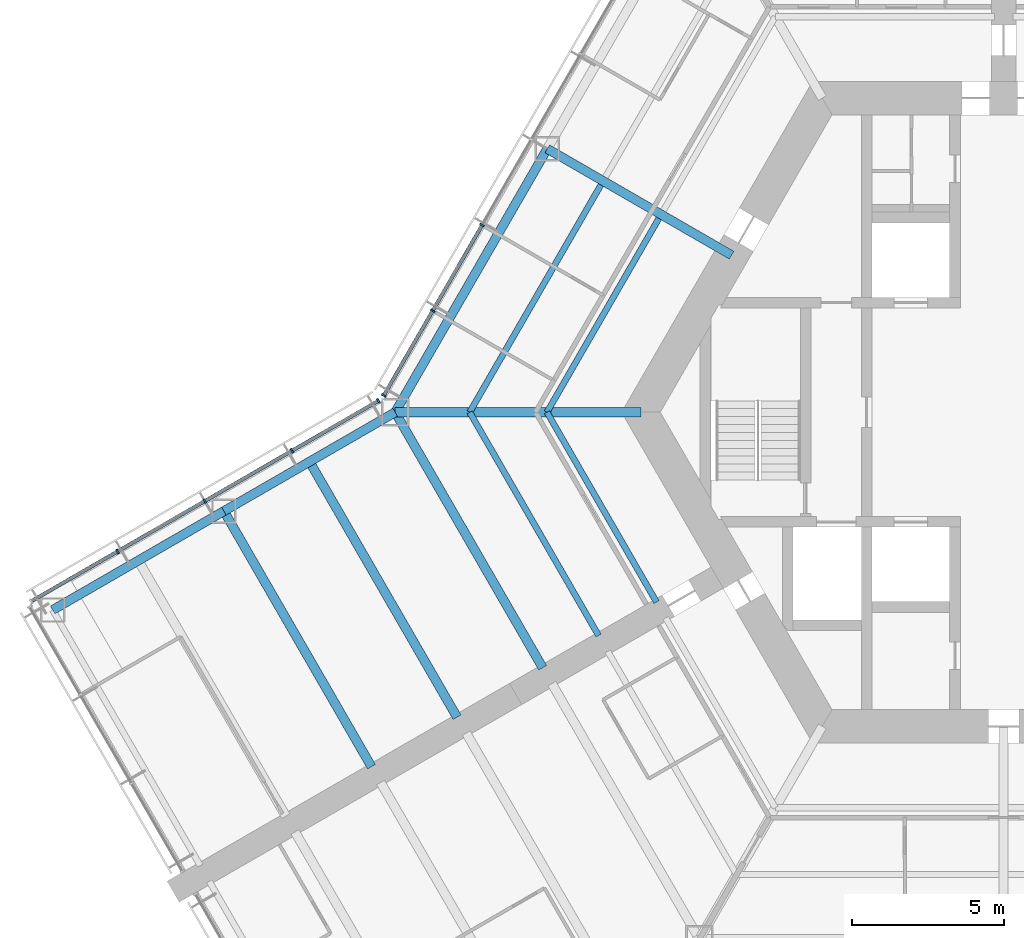
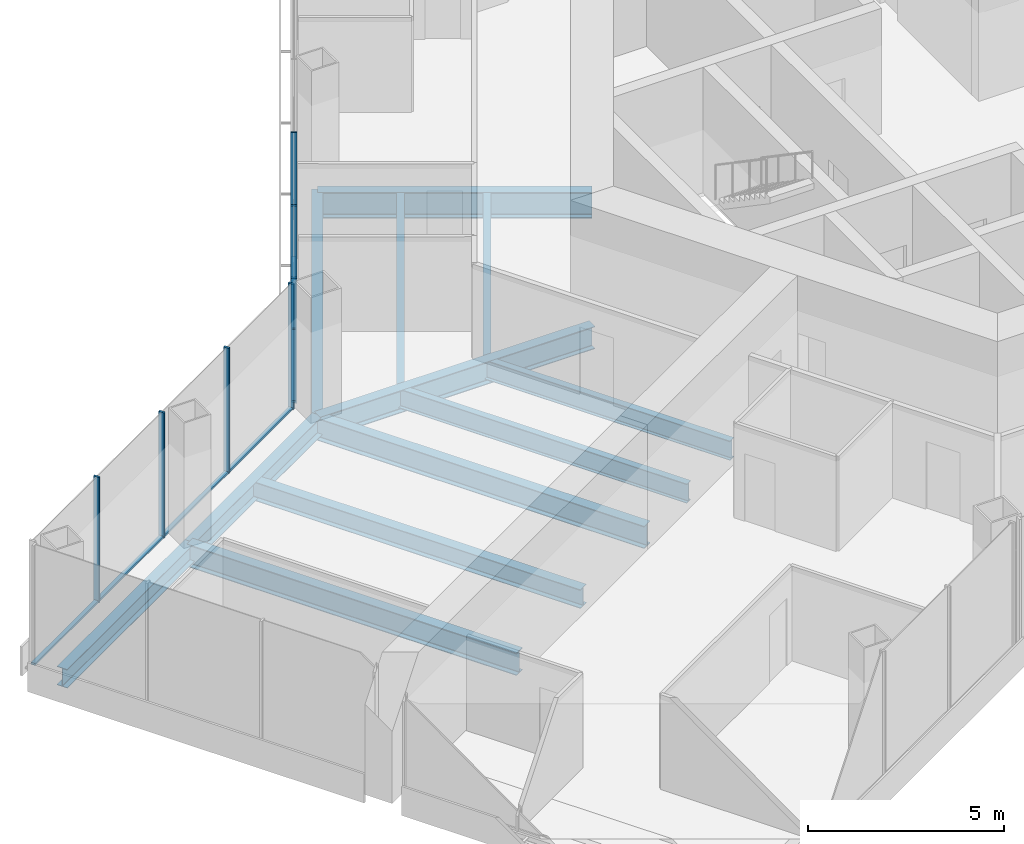
# One storey, part 4 of 19: 13 members, 12 beams, 2 elements without a shape of their own.
"""IFC4 building model written with IfcOpenShell, lengths in metres."""

from ifc_helpers import new_model, si_unit, direction, frame, origin, origin_2d, place, context, subcontext, project, spatial, rectangle, i_section, extrude, material, material_profile, profile_set, type_object, element, aggregate, save


model = new_model("IFC4")

# Units and contexts
model_context = context("Model", 3, precision=1e-05, world=origin(), true_north=direction((0.0, 1.0)))
body_context = subcontext(model_context, "Body", "Model", "MODEL_VIEW")
ifc_project = project(units=[si_unit("LENGTHUNIT", "METRE"), si_unit("AREAUNIT", "SQUARE_METRE"), si_unit("VOLUMEUNIT", "CUBIC_METRE"), si_unit("PLANEANGLEUNIT", "RADIAN"), si_unit("MASSUNIT", "GRAM", prefix="KILO")], contexts=[model_context])

# Site, building, storey
site_placement = place(None, origin())
site = spatial("IfcSite", under=ifc_project, at=site_placement, CompositionType="ELEMENT")
building_placement = place(site_placement, origin())
building = spatial("IfcBuilding", under=site, at=building_placement, Name="Kasaneha Research Tower", CompositionType="ELEMENT")
storey_placement = place(building_placement, frame((0.0, 0.0, 84.60009765625)))
storey = spatial("IfcBuildingStorey", under=building, at=storey_placement, Name="L21", CompositionType="ELEMENT", Elevation=84.60009765625)

# Beams
ifc_material_1 = material(Name="Steel SN490B", Category="steel")
ifc_material_profile_1 = material_profile(ifc_material_1, i_section(OverallWidth=0.199951171875, OverallDepth=0.60009765625, WebThickness=0.010986328125, FlangeThickness=0.01708984375, FilletRadius=0.012939453125, at=origin_2d()), Name="H-600x200x11x17")
ifc_profile_set_1 = profile_set([ifc_material_profile_1], Name="Steel SN490B")
beam_type_1 = type_object("IfcBeamType", Name="B1-3 secondary beam H-600x200x11x17", PredefinedType="JOIST", material=ifc_profile_set_1)
beam_1_placement = place(storey_placement, frame((-15.010986328125, 0.0, -0.4501953125), z_axis=(0.499994443168, 0.866028611999, 0.0), x_axis=(-0.866028611999, 0.499994443168, 0.0)))
element("IfcBeam", 1, at=beam_1_placement, inside=storey, type_object=beam_type_1, Name="Secondary beam RS150R1 L21", PredefinedType="JOIST", context=body_context, shape_type="SweptSolid", body=[
    extrude(i_section(OverallWidth=0.199951171875, OverallDepth=0.60009765625, WebThickness=0.010986328125, FlangeThickness=0.01708984375, FilletRadius=0.012939453125, at=origin_2d()), origin(), (0.0, 0.0, 1.0), 7.35546875),
])
beam_2_placement = place(storey_placement, frame((-17.551513671875, 0.0, -0.4501953125), z_axis=(0.5000050195, 0.866022505755, 0.0), x_axis=(-0.866022505755, 0.5000050195, 0.0)))
element("IfcBeam", 2, at=beam_2_placement, inside=storey, type_object=beam_type_1, Name="Secondary beam RS150R2 L21", PredefinedType="JOIST", context=body_context, shape_type="SweptSolid", body=[
    extrude(i_section(OverallWidth=0.199951171875, OverallDepth=0.60009765625, WebThickness=0.010986328125, FlangeThickness=0.01708984375, FilletRadius=0.012939453125, at=origin_2d()), origin(), (0.0, 0.0, 1.0), 8.6259765625),
])
beam_3_placement = place(storey_placement, frame((-15.010986328125, 0.0, -0.4501953125), z_axis=(0.499972735707, -0.866041144259, 0.0), x_axis=(0.866041144259, 0.499972735707, 0.0)))
element("IfcBeam", 3, at=beam_3_placement, inside=storey, type_object=beam_type_1, Name="Secondary beam RS210L1 L21", PredefinedType="JOIST", context=body_context, shape_type="SweptSolid", body=[
    extrude(i_section(OverallWidth=0.199951171875, OverallDepth=0.60009765625, WebThickness=0.010986328125, FlangeThickness=0.01708984375, FilletRadius=0.012939453125, at=origin_2d()), origin(), (0.0, 0.0, 1.0), 7.20556640625),
])
beam_4_placement = place(storey_placement, frame((-17.551513671875, 0.0, -0.4501953125), z_axis=(0.500020829043, -0.866013377797, 0.0), x_axis=(0.866013377797, 0.500020829043, 0.0)))
element("IfcBeam", 4, at=beam_4_placement, inside=storey, type_object=beam_type_1, Name="Secondary beam RS210L2 L21", PredefinedType="JOIST", context=body_context, shape_type="SweptSolid", body=[
    extrude(i_section(OverallWidth=0.199951171875, OverallDepth=0.60009765625, WebThickness=0.010986328125, FlangeThickness=0.01708984375, FilletRadius=0.012939453125, at=origin_2d()), origin(), (0.0, 0.0, 1.0), 8.475830078125),
])
ifc_material_2 = material(Name="Steel SN490B", Category="steel")
ifc_material_profile_2 = material_profile(ifc_material_2, i_section(OverallWidth=0.300048828125, OverallDepth=0.58203125, WebThickness=0.011962890625, FlangeThickness=0.01708984375, FilletRadius=0.012939453125, at=origin_2d()), Name="H-582x300x12x17")
ifc_profile_set_2 = profile_set([ifc_material_profile_2], Name="Steel SN490B")
beam_type_2 = type_object("IfcBeamType", Name="B2-3 secondary beam H-582x300x12x17", PredefinedType="JOIST", material=ifc_profile_set_2)
beam_5_placement = place(storey_placement, frame((-22.814697265625, -1.625, -0.441162109375), z_axis=(0.500010041276, -0.866019606374, 0.0), x_axis=(0.866019606374, 0.500010041276, 0.0)))
element("IfcBeam", 5, at=beam_5_placement, inside=storey, type_object=beam_type_2, Name="Secondary beam WBBP1 L21", PredefinedType="JOIST", context=body_context, shape_type="SweptSolid", body=[
    extrude(i_section(OverallWidth=0.300048828125, OverallDepth=0.58203125, WebThickness=0.011962890625, FlangeThickness=0.01708984375, FilletRadius=0.012939453125, at=origin_2d()), origin(), (0.0, 0.0, 1.0), 9.699951171875),
])

# Curtain wall, members
ifc_material_3 = material(Name="Glass and aluminium", Category="aluminium")
curtain_wall_type = type_object("IfcCurtainWallType", Name="Low-rise office curtain wall", PredefinedType="USERDEFINED", material=ifc_material_3)
curtain_wall_1_placement = place(storey_placement, origin())
curtain_wall_1 = element("IfcCurtainWall", 6, at=curtain_wall_1_placement, inside=storey, type_object=curtain_wall_type, Name="CW-O1 L21 run 12a", ObjectType="UNITISED CURTAIN WALL", PredefinedType="USERDEFINED")
ifc_material_4 = material(Name="Aluminium 6063-T6", Category="aluminium")
ifc_material_profile_3 = material_profile(ifc_material_4, rectangle(XDim=0.06005859375, YDim=0.159912109375, at=origin_2d()), Name="CW-O1 mullion 60x160")
ifc_profile_set_3 = profile_set([ifc_material_profile_3], Name="Aluminium 6063-T6")
member_type_1 = type_object("IfcMemberType", Name="CW-O1 mullion", PredefinedType="MULLION", material=ifc_profile_set_3)
member_1_placement = place(storey_placement, frame((-17.142822265625, 6.148681640625, 0.0), z_axis=(0.0, 0.0, 1.0), x_axis=(-0.49999996188, -0.866025425793, 0.0)))
member_1 = element("IfcMember", 7, at=member_1_placement, type_object=member_type_1, Name="CW-O1 mullion 5", PredefinedType="MULLION", context=body_context, shape_type="SweptSolid", body=[
    extrude(rectangle(XDim=0.06005859375, YDim=0.159912109375, at=origin_2d()), origin(), (0.0, 0.0, 1.0), 3.89990234375),
])
member_2_placement = place(storey_placement, frame((-18.76611328125, 3.33740234375, 0.0), z_axis=(0.0, 0.0, 1.0), x_axis=(-0.49999996188, -0.866025425793, 0.0)))
member_2 = element("IfcMember", 8, at=member_2_placement, type_object=member_type_1, Name="CW-O1 mullion 6", PredefinedType="MULLION", context=body_context, shape_type="SweptSolid", body=[
    extrude(rectangle(XDim=0.06005859375, YDim=0.159912109375, at=origin_2d()), origin(), (0.0, 0.0, 1.0), 3.89990234375),
])
member_3_placement = place(storey_placement, frame((-20.374267578125, 0.5517578125, 0.0), z_axis=(0.0, 0.0, 1.0), x_axis=(-0.49999996188, -0.866025425793, 0.0)))
member_3 = element("IfcMember", 9, at=member_3_placement, type_object=member_type_1, Name="CW-O1 mullion 7", PredefinedType="MULLION", context=body_context, shape_type="SweptSolid", body=[
    extrude(rectangle(XDim=0.06005859375, YDim=0.159912109375, at=origin_2d()), origin(), (0.0, 0.0, 1.0), 3.89990234375),
])

curtain_wall_2_placement = place(storey_placement, origin())
curtain_wall_2 = element("IfcCurtainWall", 10, at=curtain_wall_2_placement, inside=storey, type_object=curtain_wall_type, Name="CW-O1 L21 run 13a", ObjectType="UNITISED CURTAIN WALL", PredefinedType="USERDEFINED")
member_4_placement = place(storey_placement, frame((-20.5517578125, 0.374267578125, 0.0), z_axis=(0.0, 0.0, 1.0), x_axis=(-0.866025411464, -0.499999986699, 0.0)))
member_4 = element("IfcMember", 11, at=member_4_placement, type_object=member_type_1, Name="CW-O1 mullion 1", PredefinedType="MULLION", context=body_context, shape_type="SweptSolid", body=[
    extrude(rectangle(XDim=0.06005859375, YDim=0.159912109375, at=origin_2d()), origin(), (0.0, 0.0, 1.0), 3.89990234375),
])
member_5_placement = place(storey_placement, frame((-23.39208984375, -1.265625, 0.0), z_axis=(0.0, 0.0, 1.0), x_axis=(-0.866025411464, -0.499999986699, 0.0)))
member_5 = element("IfcMember", 12, at=member_5_placement, type_object=member_type_1, Name="CW-O1 mullion 2", PredefinedType="MULLION", context=body_context, shape_type="SweptSolid", body=[
    extrude(rectangle(XDim=0.06005859375, YDim=0.159912109375, at=origin_2d()), origin(), (0.0, 0.0, 1.0), 3.89990234375),
])
member_6_placement = place(storey_placement, frame((-26.258544921875, -2.920654296875, 0.0), z_axis=(0.0, 0.0, 1.0), x_axis=(-0.866025411464, -0.499999986699, 0.0)))
member_6 = element("IfcMember", 13, at=member_6_placement, type_object=member_type_1, Name="CW-O1 mullion 3", PredefinedType="MULLION", context=body_context, shape_type="SweptSolid", body=[
    extrude(rectangle(XDim=0.06005859375, YDim=0.159912109375, at=origin_2d()), origin(), (0.0, 0.0, 1.0), 3.89990234375),
])
member_7_placement = place(storey_placement, frame((-29.125, -4.575439453125, 0.0), z_axis=(0.0, 0.0, 1.0), x_axis=(-0.866025411464, -0.499999986699, 0.0)))
member_7 = element("IfcMember", 14, at=member_7_placement, type_object=member_type_1, Name="CW-O1 mullion 4", PredefinedType="MULLION", context=body_context, shape_type="SweptSolid", body=[
    extrude(rectangle(XDim=0.06005859375, YDim=0.159912109375, at=origin_2d()), origin(), (0.0, 0.0, 1.0), 3.89990234375),
])

# Member
ifc_material_5 = material(Name="Aluminium 6063-T6", Category="aluminium")
ifc_material_profile_4 = material_profile(ifc_material_5, rectangle(XDim=0.1201171875, YDim=0.06005859375, at=origin_2d()), Name="CW-O1 transom 120x60")
ifc_profile_set_4 = profile_set([ifc_material_profile_4], Name="Aluminium 6063-T6")
member_type_2 = type_object("IfcMemberType", Name="CW-O1 transom", PredefinedType="USERDEFINED", material=ifc_profile_set_4)
member_8_placement = place(storey_placement, frame((-17.15771484375, 6.122802734375, 0.02978515625), z_axis=(-0.500012062035, -0.866018439653, 0.0), x_axis=(0.866018439653, -0.500012062035, 0.0)))
member_8 = element("IfcMember", 15, at=member_8_placement, type_object=member_type_2, Name="CW-O1 transom 5", ObjectType="TRANSOM", PredefinedType="USERDEFINED", context=body_context, shape_type="SweptSolid", body=[
    extrude(rectangle(XDim=0.1201171875, YDim=0.06005859375, at=origin_2d()), origin(), (0.0, 0.0, 1.0), 3.1865234375),
])

member_9_placement = place(storey_placement, frame((-18.781005859375, 3.311279296875, 0.02978515625), z_axis=(-0.499999210213, -0.866025859768, 0.0), x_axis=(0.866025859768, -0.499999210213, 0.0)))
member_9 = element("IfcMember", 16, at=member_9_placement, type_object=member_type_2, Name="CW-O1 transom 6", ObjectType="TRANSOM", PredefinedType="USERDEFINED", context=body_context, shape_type="SweptSolid", body=[
    extrude(rectangle(XDim=0.1201171875, YDim=0.06005859375, at=origin_2d()), origin(), (0.0, 0.0, 1.0), 3.15625),
])

aggregate(curtain_wall_1, [member_1, member_2, member_3, member_8, member_9])

member_10_placement = place(storey_placement, frame((-20.577880859375, 0.359130859375, 0.02978515625), z_axis=(-0.866022692473, -0.500004696101, 0.0), x_axis=(0.500004696101, -0.866022692473, 0.0)))
member_10 = element("IfcMember", 17, at=member_10_placement, type_object=member_type_2, Name="CW-O1 transom 1", ObjectType="TRANSOM", PredefinedType="USERDEFINED", context=body_context, shape_type="SweptSolid", body=[
    extrude(rectangle(XDim=0.1201171875, YDim=0.06005859375, at=origin_2d()), origin(), (0.0, 0.0, 1.0), 3.2197265625),
])

member_11_placement = place(storey_placement, frame((-23.418212890625, -1.28076171875, 0.02978515625), z_axis=(-0.86604797581, -0.499960902066, 0.0), x_axis=(0.499960902066, -0.86604797581, 0.0)))
member_11 = element("IfcMember", 18, at=member_11_placement, type_object=member_type_2, Name="CW-O1 transom 2", ObjectType="TRANSOM", PredefinedType="USERDEFINED", context=body_context, shape_type="SweptSolid", body=[
    extrude(rectangle(XDim=0.1201171875, YDim=0.06005859375, at=origin_2d()), origin(), (0.0, 0.0, 1.0), 3.249755859375),
])

member_12_placement = place(storey_placement, frame((-26.28466796875, -2.935546875, 0.02978515625), z_axis=(-0.86599666273, -0.500049777664, 0.0), x_axis=(0.500049777664, -0.86599666273, 0.0)))
member_12 = element("IfcMember", 19, at=member_12_placement, type_object=member_type_2, Name="CW-O1 transom 3", ObjectType="TRANSOM", PredefinedType="USERDEFINED", context=body_context, shape_type="SweptSolid", body=[
    extrude(rectangle(XDim=0.1201171875, YDim=0.06005859375, at=origin_2d()), origin(), (0.0, 0.0, 1.0), 3.249755859375),
])

member_13_placement = place(storey_placement, frame((-29.15087890625, -4.590576171875, 0.02978515625), z_axis=(-0.866041647767, -0.499971863542, 0.0), x_axis=(0.499971863542, -0.866041647767, 0.0)))
member_13 = element("IfcMember", 20, at=member_13_placement, type_object=member_type_2, Name="CW-O1 transom 4", ObjectType="TRANSOM", PredefinedType="USERDEFINED", context=body_context, shape_type="SweptSolid", body=[
    extrude(rectangle(XDim=0.1201171875, YDim=0.06005859375, at=origin_2d()), origin(), (0.0, 0.0, 1.0), 3.219970703125),
])

aggregate(curtain_wall_2, [member_4, member_5, member_6, member_7, member_10, member_11, member_12, member_13])

# Beams
ifc_material_6 = material(Name="Steel SN490B", Category="steel")
ifc_material_profile_5 = material_profile(ifc_material_6, i_section(OverallWidth=0.300048828125, OverallDepth=0.699951171875, WebThickness=0.012939453125, FlangeThickness=0.02392578125, FilletRadius=0.01806640625, at=origin_2d()), Name="H-700x300x13x24")
ifc_profile_set_5 = profile_set([ifc_material_profile_5], Name="Steel SN490B")
beam_type_3 = type_object("IfcBeamType", Name="G1-3 radial girder H-700x300x13x24", PredefinedType="BEAM", material=ifc_profile_set_5)
beam_6_placement = place(storey_placement, frame((-11.92236328125, 0.0, -0.5), z_axis=(-1.0, 0.0, 0.0), x_axis=(0.0, -1.0, 0.0)))
element("IfcBeam", 21, at=beam_6_placement, inside=storey, type_object=beam_type_3, Name="Radial girder RV180 L21", PredefinedType="BEAM", context=body_context, shape_type="SweptSolid", body=[
    extrude(i_section(OverallWidth=0.300048828125, OverallDepth=0.699951171875, WebThickness=0.012939453125, FlangeThickness=0.02392578125, FilletRadius=0.01806640625, at=origin_2d()), origin(), (0.0, 0.0, 1.0), 8.07763671875),
])
ifc_material_7 = material(Name="Steel SN490B", Category="steel")
ifc_material_profile_6 = material_profile(ifc_material_7, i_section(OverallWidth=0.300048828125, OverallDepth=0.800048828125, WebThickness=0.013916015625, FlangeThickness=0.02587890625, FilletRadius=0.01806640625, at=origin_2d()), Name="H-800x300x14x26")
ifc_profile_set_6 = profile_set([ifc_material_profile_6], Name="Steel SN490B")
beam_type_4 = type_object("IfcBeamType", Name="G2-3 radial girder H-800x300x14x26", PredefinedType="BEAM", material=ifc_profile_set_6)
beam_7_placement = place(storey_placement, frame((-8.941650390625, 5.16259765625, -0.550048828125), z_axis=(-0.866039713508, 0.499975214012, 0.0), x_axis=(-0.499975214012, -0.866039713508, 0.0)))
element("IfcBeam", 22, at=beam_7_placement, inside=storey, type_object=beam_type_4, Name="Radial girder RM150 L21", PredefinedType="BEAM", context=body_context, shape_type="SweptSolid", body=[
    extrude(i_section(OverallWidth=0.300048828125, OverallDepth=0.800048828125, WebThickness=0.013916015625, FlangeThickness=0.02587890625, FilletRadius=0.01806640625, at=origin_2d()), origin(), (0.0, 0.0, 1.0), 6.995361328125),
])
ifc_material_8 = material(Name="Steel SN490B", Category="steel")
ifc_material_profile_7 = material_profile(ifc_material_8, i_section(OverallWidth=0.300048828125, OverallDepth=0.69189453125, WebThickness=0.012939453125, FlangeThickness=0.02001953125, FilletRadius=0.01806640625, at=origin_2d()), Name="H-692x300x13x20")
ifc_profile_set_7 = profile_set([ifc_material_profile_7], Name="Steel SN490B")
beam_type_5 = type_object("IfcBeamType", Name="G3-3 plate edge girder H-692x300x13x20", PredefinedType="BEAM", material=ifc_profile_set_7)
beam_8_placement = place(storey_placement, frame((-20.0, 0.0, -0.49609375), z_axis=(0.500010041276, -0.866019606374, 0.0), x_axis=(0.866019606374, 0.500010041276, 0.0)))
element("IfcBeam", 23, at=beam_8_placement, inside=storey, type_object=beam_type_5, Name="Plate edge girder PEBP L21", PredefinedType="BEAM", context=body_context, shape_type="SweptSolid", body=[
    extrude(i_section(OverallWidth=0.300048828125, OverallDepth=0.69189453125, WebThickness=0.012939453125, FlangeThickness=0.02001953125, FilletRadius=0.01806640625, at=origin_2d()), origin(), (0.0, 0.0, 1.0), 9.699951171875),
])
ifc_material_9 = material(Name="Steel SN490B", Category="steel")
ifc_material_profile_8 = material_profile(ifc_material_9, i_section(OverallWidth=0.300048828125, OverallDepth=0.699951171875, WebThickness=0.012939453125, FlangeThickness=0.02392578125, FilletRadius=0.01806640625, at=origin_2d()), Name="H-700x300x13x24")
ifc_profile_set_8 = profile_set([ifc_material_profile_8], Name="Steel SN490B")
beam_type_6 = type_object("IfcBeamType", Name="G4-3 wing girder H-700x300x13x24", PredefinedType="BEAM", material=ifc_profile_set_8)
beam_9_placement = place(storey_placement, frame((-25.629150390625, -3.25, -0.5), z_axis=(0.500010041276, -0.866019606374, 0.0), x_axis=(0.866019606374, 0.500010041276, 0.0)))
element("IfcBeam", 24, at=beam_9_placement, inside=storey, type_object=beam_type_6, Name="Wing girder WGBP L21", PredefinedType="BEAM", context=body_context, shape_type="SweptSolid", body=[
    extrude(i_section(OverallWidth=0.300048828125, OverallDepth=0.699951171875, WebThickness=0.012939453125, FlangeThickness=0.02392578125, FilletRadius=0.01806640625, at=origin_2d()), origin(), (0.0, 0.0, 1.0), 9.699951171875),
])
ifc_material_10 = material(Name="Steel SN490B", Category="steel")
ifc_material_profile_9 = material_profile(ifc_material_10, i_section(OverallWidth=0.300048828125, OverallDepth=0.69189453125, WebThickness=0.012939453125, FlangeThickness=0.02001953125, FilletRadius=0.01806640625, at=origin_2d()), Name="H-692x300x13x20")
ifc_profile_set_9 = profile_set([ifc_material_profile_9], Name="Steel SN490B")
beam_type_7 = type_object("IfcBeamType", Name="SB1-3 spandrel beam H-692x300x13x20", PredefinedType="SPANDREL", material=ifc_profile_set_9)
beam_10_placement = place(storey_placement, frame((-20.0, 0.0, -0.49609375), z_axis=(0.500004234368, 0.866022959057, 0.0), x_axis=(-0.866022959057, 0.500004234368, 0.0)))
element("IfcBeam", 25, at=beam_10_placement, inside=storey, type_object=beam_type_7, Name="Spandrel beam SR150R L21", PredefinedType="SPANDREL", context=body_context, shape_type="SweptSolid", body=[
    extrude(i_section(OverallWidth=0.300048828125, OverallDepth=0.69189453125, WebThickness=0.012939453125, FlangeThickness=0.02001953125, FilletRadius=0.01806640625, at=origin_2d()), origin(), (0.0, 0.0, 1.0), 10.0),
])
ifc_material_11 = material(Name="Steel SN490B", Category="steel")
ifc_material_profile_10 = material_profile(ifc_material_11, i_section(OverallWidth=0.300048828125, OverallDepth=0.58203125, WebThickness=0.011962890625, FlangeThickness=0.01708984375, FilletRadius=0.012939453125, at=origin_2d()), Name="H-582x300x12x17")
ifc_profile_set_10 = profile_set([ifc_material_profile_10], Name="Steel SN490B")
beam_type_8 = type_object("IfcBeamType", Name="SB2-3 spandrel beam H-582x300x12x17", PredefinedType="SPANDREL", material=ifc_profile_set_10)
for number, where, z_axis, x_axis, name in (
    (26, (-20.0, 0.0, -0.441162109375), (-0.866024837091, -0.50000098154, 0.0), (0.50000098154, -0.866024837091, 0.0), "Spandrel beam WSBP1 L21"),
    (27, (-25.629150390625, -3.25, -0.441162109375), (-0.866024837091, -0.50000098154, 0.0), (0.50000098154, -0.866024837091, 0.0), "Spandrel beam WSBP2 L21"),
):
    element("IfcBeam", number, at=place(storey_placement, frame(where, z_axis=z_axis, x_axis=x_axis)), inside=storey, type_object=beam_type_8, Name=name, PredefinedType="SPANDREL", context=body_context, shape_type="SweptSolid", body=[
        extrude(i_section(OverallWidth=0.300048828125, OverallDepth=0.58203125, WebThickness=0.011962890625, FlangeThickness=0.01708984375, FilletRadius=0.012939453125, at=origin_2d()), origin(), (0.0, 0.0, 1.0), 6.5),
    ])

save(model, "model.ifc")
